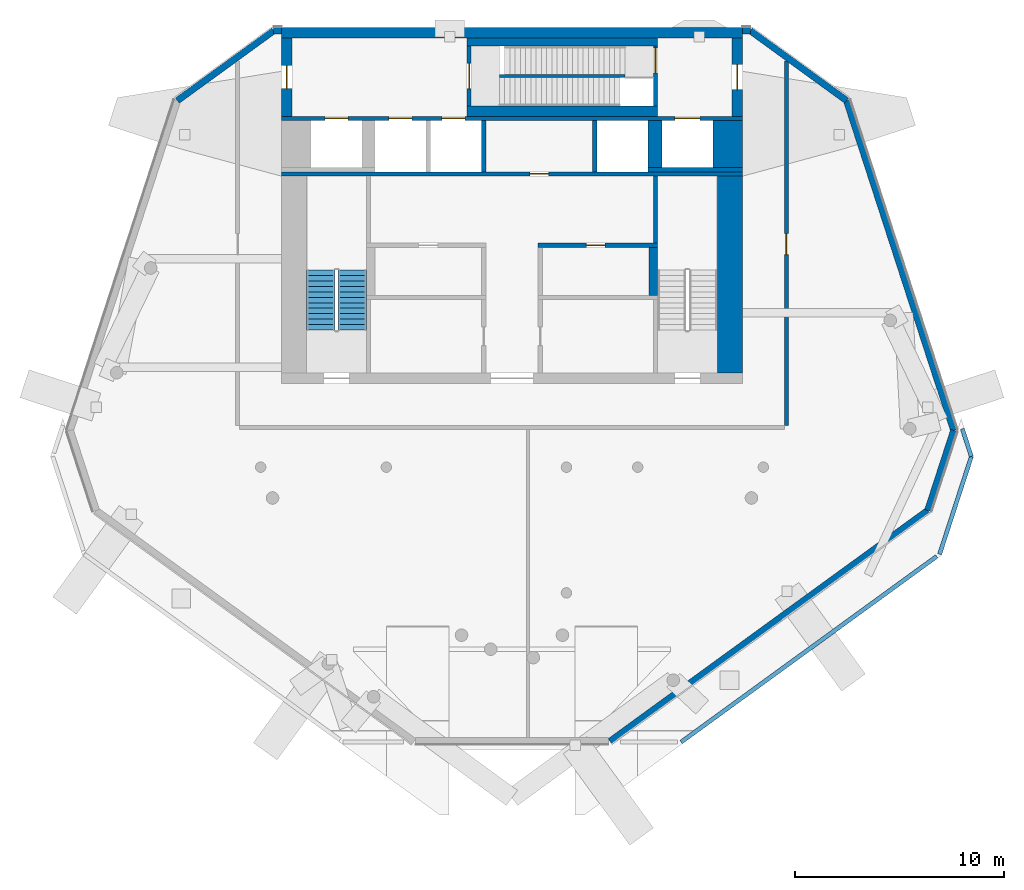
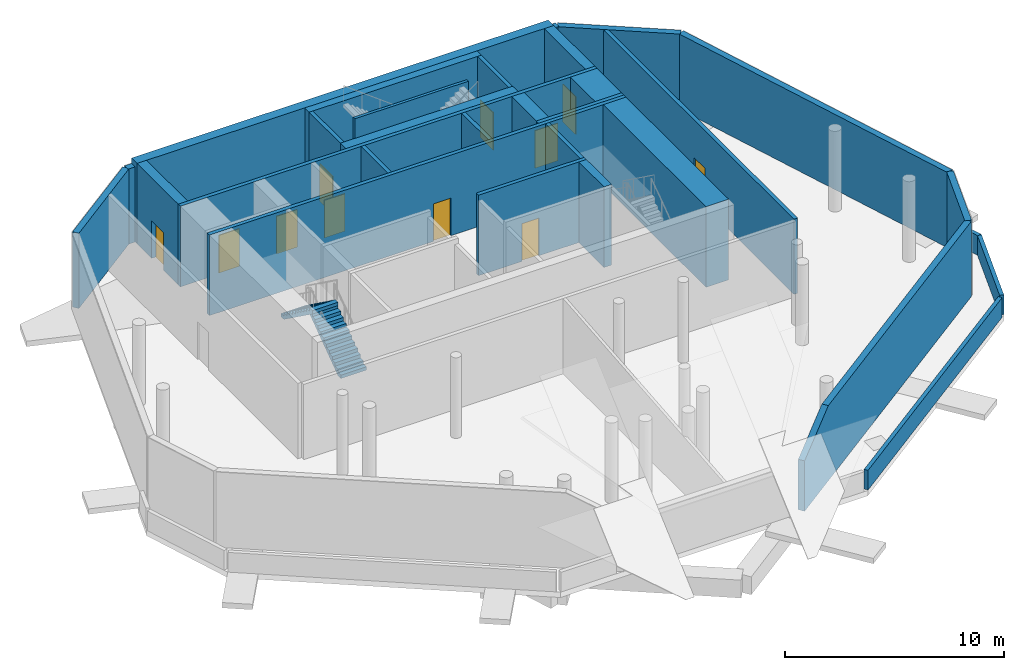
# One storey, part 3 of 8: 30 walls, 11 doors, 2 stair flights, 11 openings, 1 element without a shape of its own.
"""IFC4 building model written with IfcOpenShell, lengths in metres."""

from ifc_helpers import new_model, si_unit, direction, frame, frame_2d, origin, place, context, subcontext, project, spatial, polyline, rectangle, outline, extrude, material, layer, layer_set, type_object, element, fill, aggregate, save


model = new_model("IFC4")

# Units and contexts
model_context = context("Model", 3, precision=1e-05, world=origin(), true_north=direction((0.0, 1.0)))
body_context = subcontext(model_context, "Body", "Model", "MODEL_VIEW")
ifc_project = project(units=[si_unit("LENGTHUNIT", "METRE"), si_unit("AREAUNIT", "SQUARE_METRE"), si_unit("VOLUMEUNIT", "CUBIC_METRE"), si_unit("PLANEANGLEUNIT", "RADIAN"), si_unit("MASSUNIT", "GRAM", prefix="KILO")], contexts=[model_context])

# Site, building, storey
site_placement = place(None, origin())
site = spatial("IfcSite", under=ifc_project, at=site_placement, CompositionType="ELEMENT")
building_placement = place(site_placement, origin())
building = spatial("IfcBuilding", under=site, at=building_placement, Name="White Candle Pilgrim Tower", CompositionType="ELEMENT")
storey_placement = place(building_placement, frame((0.0, 0.0, 328.699951171875)))
storey = spatial("IfcBuildingStorey", under=building, at=storey_placement, Name="L77", CompositionType="ELEMENT", Elevation=328.699951171875)

# Walls
ifc_material_1 = material(Name="Concrete C40/50", Category="concrete")
ifc_layer_1 = layer(ifc_material_1, 1.39990234375)
ifc_layer_set_1 = layer_set([ifc_layer_1], Name="Core wall 1400 mm Concrete C40/50")
wall_type_1 = type_object("IfcWallType", Name="Core wall 1400 mm Concrete C40/50", PredefinedType="SHEAR", material=ifc_layer_set_1)
wall_1_placement = place(storey_placement, frame((80.300048828125, 81.300048828125, 0.0), z_axis=(0.0, 0.0, 1.0), x_axis=(0.0, 1.0, 0.0)))
element("IfcWall", 1, at=wall_1_placement, inside=storey, type_object=wall_type_1, Name="WL-L77-C27", PredefinedType="SHEAR", context=body_context, shape_type="SweptSolid", body=[
    extrude(rectangle(XDim=2.25, YDim=1.39990234375, at=frame_2d((1.125, 0.0))), origin(), (0.0, 0.0, 1.0), 4.5),
])
ifc_layer_2 = layer(ifc_material_1, 0.199951171875)
ifc_layer_set_2 = layer_set([ifc_layer_2], Name="Core wall 200 mm Concrete C40/50")
wall_type_2 = type_object("IfcWallType", Name="Core wall 200 mm Concrete C40/50", PredefinedType="SHEAR", material=ifc_layer_set_2)
wall_2_placement = place(storey_placement, frame((76.5, 81.199951171875, 0.0), z_axis=(0.0, 0.0, 1.0), x_axis=(1.0, 0.0, 0.0)))
element("IfcWall", 2, at=wall_2_placement, inside=storey, type_object=wall_type_2, Name="WL-L77-C23", PredefinedType="SHEAR", context=body_context, shape_type="SweptSolid", body=[
    extrude(rectangle(XDim=4.5, YDim=0.199951171875, at=frame_2d((2.25, 0.0))), origin(), (0.0, 0.0, 1.0), 4.5),
])

# Wall, openings, doors
wall_3_placement = place(storey_placement, frame((59.0, 83.64990234375, 0.0), z_axis=(0.0, 0.0, 1.0), x_axis=(1.0, 0.0, 0.0)))
wall_3 = element("IfcWall", 3, at=wall_3_placement, inside=storey, type_object=wall_type_2, Name="WL-L77-C28", PredefinedType="SHEAR", context=body_context, shape_type="SweptSolid", body=[
    extrude(rectangle(XDim=22.0, YDim=0.199951171875, at=frame_2d((11.0, 0.0))), origin(), (0.0, 0.0, 1.0), 4.5),
])
opening_1_placement = place(wall_3_placement, frame((5.125, 0.0, 0.0)))
opening_1 = element("IfcOpeningElement", 4, at=opening_1_placement, cuts=wall_3, Name="Opening L77-010", PredefinedType="OPENING", context=body_context, shape_type="SweptSolid", body=[
    extrude(rectangle(XDim=1.10009765625, YDim=2.10009765625, at=frame_2d((0.550048828125, 1.050048828125))), frame((0.0, 0.10986328125, 0.0), z_axis=(0.0, -1.0, 0.0), x_axis=(1.0, 0.0, 0.0)), (0.0, 0.0, 1.0), 0.219970703125),
])
opening_2_placement = place(wall_3_placement, frame((7.64990234375, 0.0, 0.0)))
opening_2 = element("IfcOpeningElement", 5, at=opening_2_placement, cuts=wall_3, Name="Opening L77-011", PredefinedType="OPENING", context=body_context, shape_type="SweptSolid", body=[
    extrude(rectangle(XDim=1.10009765625, YDim=2.10009765625, at=frame_2d((0.550048828125, 1.050048828125))), frame((0.0, 0.10986328125, 0.0), z_axis=(0.0, -1.0, 0.0), x_axis=(1.0, 0.0, 0.0)), (0.0, 0.0, 1.0), 0.219970703125),
])
opening_3_placement = place(wall_3_placement, frame((18.77490234375, 0.0, 0.0)))
opening_3 = element("IfcOpeningElement", 6, at=opening_3_placement, cuts=wall_3, Name="Opening L77-012", PredefinedType="OPENING", context=body_context, shape_type="SweptSolid", body=[
    extrude(rectangle(XDim=1.199951171875, YDim=2.10009765625, at=frame_2d((0.60009765625, 1.050048828125))), frame((0.0, 0.10986328125, 0.0), z_axis=(0.0, -1.0, 0.0), x_axis=(1.0, 0.0, 0.0)), (0.0, 0.0, 1.0), 0.219970703125),
])
opening_4_placement = place(wall_3_placement, frame((2.074951171875, 0.0, 0.0)))
opening_4 = element("IfcOpeningElement", 7, at=opening_4_placement, cuts=wall_3, Name="Opening L77-013", PredefinedType="OPENING", context=body_context, shape_type="SweptSolid", body=[
    extrude(rectangle(XDim=1.10009765625, YDim=2.10009765625, at=frame_2d((0.550048828125, 1.050048828125))), frame((0.0, 0.10986328125, 0.0), z_axis=(0.0, -1.0, 0.0), x_axis=(1.0, 0.0, 0.0)), (0.0, 0.0, 1.0), 0.219970703125),
])
ifc_material_2 = material(Name="Stainless steel", Category="steel")
door_type_1 = type_object("IfcDoorType", Name="Lift landing door 1100 x 2100 EI 60", OperationType="DOUBLE_DOOR_SLIDING", PredefinedType="DOOR", material=ifc_material_2)
door_1_placement = place(opening_1_placement, origin())
door_1 = element("IfcDoor", 8, at=door_1_placement, inside=storey, type_object=door_type_1, Name="Door L77-010", OperationType="DOUBLE_DOOR_SLIDING", OverallHeight=2.10009765625, OverallWidth=1.10009765625, PredefinedType="DOOR", context=body_context, shape_type="SweptSolid", body=[
    extrude(rectangle(XDim=1.10009765625, YDim=2.10009765625, at=frame_2d((0.550048828125, 1.050048828125))), frame((0.0, 0.02490234375, 0.0), z_axis=(0.0, -1.0, 0.0), x_axis=(1.0, 0.0, 0.0)), (0.0, 0.0, 1.0), 0.050048828125),
])
fill(opening_1, door_1)
door_2_placement = place(opening_2_placement, origin())
door_2 = element("IfcDoor", 9, at=door_2_placement, inside=storey, type_object=door_type_1, Name="Door L77-011", OperationType="DOUBLE_DOOR_SLIDING", OverallHeight=2.10009765625, OverallWidth=1.10009765625, PredefinedType="DOOR", context=body_context, shape_type="SweptSolid", body=[
    extrude(rectangle(XDim=1.10009765625, YDim=2.10009765625, at=frame_2d((0.550048828125, 1.050048828125))), frame((0.0, 0.02490234375, 0.0), z_axis=(0.0, -1.0, 0.0), x_axis=(1.0, 0.0, 0.0)), (0.0, 0.0, 1.0), 0.050048828125),
])
fill(opening_2, door_2)
door_3_placement = place(opening_4_placement, origin())
door_3 = element("IfcDoor", 10, at=door_3_placement, inside=storey, type_object=door_type_1, Name="Door L77-013", OperationType="DOUBLE_DOOR_SLIDING", OverallHeight=2.10009765625, OverallWidth=1.10009765625, PredefinedType="DOOR", context=body_context, shape_type="SweptSolid", body=[
    extrude(rectangle(XDim=1.10009765625, YDim=2.10009765625, at=frame_2d((0.550048828125, 1.050048828125))), frame((0.0, 0.02490234375, 0.0), z_axis=(0.0, -1.0, 0.0), x_axis=(1.0, 0.0, 0.0)), (0.0, 0.0, 1.0), 0.050048828125),
])
fill(opening_4, door_3)
door_type_2 = type_object("IfcDoorType", Name="Lift landing door 1200 x 2100 E 60", OperationType="DOUBLE_DOOR_SLIDING", PredefinedType="DOOR", material=ifc_material_2)
door_4_placement = place(opening_3_placement, origin())
door_4 = element("IfcDoor", 11, at=door_4_placement, inside=storey, type_object=door_type_2, Name="Door L77-012", OperationType="DOUBLE_DOOR_SLIDING", OverallHeight=2.10009765625, OverallWidth=1.199951171875, PredefinedType="DOOR", context=body_context, shape_type="SweptSolid", body=[
    extrude(rectangle(XDim=1.199951171875, YDim=2.10009765625, at=frame_2d((0.60009765625, 1.050048828125))), frame((0.0, 0.02490234375, 0.0), z_axis=(0.0, -1.0, 0.0), x_axis=(1.0, 0.0, 0.0)), (0.0, 0.0, 1.0), 0.050048828125),
])
fill(opening_3, door_4)

# Wall, opening, door
ifc_layer_3 = layer(ifc_material_1, 0.5)
ifc_layer_set_3 = layer_set([ifc_layer_3], Name="Core wall 500 mm Concrete C40/50")
wall_type_3 = type_object("IfcWallType", Name="Core wall 500 mm Concrete C40/50", PredefinedType="SHEAR", material=ifc_layer_set_3)
wall_4_placement = place(storey_placement, frame((59.25, 83.75, 0.0), z_axis=(0.0, 0.0, 1.0), x_axis=(0.0, 1.0, 0.0)))
wall_4 = element("IfcWall", 12, at=wall_4_placement, inside=storey, type_object=wall_type_3, Name="WL-L77-C29", PredefinedType="SHEAR", context=body_context, shape_type="SweptSolid", body=[
    extrude(rectangle(XDim=3.75, YDim=0.5, at=frame_2d((1.875, 0.0))), origin(), (0.0, 0.0, 1.0), 4.5),
])
opening_5_placement = place(wall_4_placement, frame((1.324951171875, 0.0, 0.0)))
opening_5 = element("IfcOpeningElement", 13, at=opening_5_placement, cuts=wall_4, Name="Opening L77-008", PredefinedType="OPENING", context=body_context, shape_type="SweptSolid", body=[
    extrude(rectangle(XDim=1.10009765625, YDim=2.10009765625, at=frame_2d((0.550048828125, 1.050048828125))), frame((0.0, 0.260009765625, 0.0), z_axis=(0.0, -1.0, 0.0), x_axis=(1.0, 0.0, 0.0)), (0.0, 0.0, 1.0), 0.52001953125),
])
ifc_material_3 = material(Name="Steel door leaf", Category="steel")
door_type_3 = type_object("IfcDoorType", Name="Fire door 1100 x 2100 EI 60", OperationType="NOTDEFINED", PredefinedType="DOOR", material=ifc_material_3)
door_5_placement = place(opening_5_placement, origin())
door_5 = element("IfcDoor", 14, at=door_5_placement, inside=storey, type_object=door_type_3, Name="Door L77-008", OperationType="SINGLE_SWING_RIGHT", OverallHeight=2.10009765625, OverallWidth=1.10009765625, PredefinedType="DOOR", context=body_context, shape_type="SweptSolid", body=[
    extrude(rectangle(XDim=1.10009765625, YDim=2.10009765625, at=frame_2d((0.550048828125, 1.050048828125))), frame((0.0, 0.02490234375, 0.0), z_axis=(0.0, -1.0, 0.0), x_axis=(1.0, 0.0, 0.0)), (0.0, 0.0, 1.0), 0.050048828125),
])
fill(opening_5, door_5)

wall_5_placement = place(storey_placement, frame((80.75, 83.75, 0.0), z_axis=(0.0, 0.0, 1.0), x_axis=(0.0, 1.0, 0.0)))
wall_5 = element("IfcWall", 15, at=wall_5_placement, inside=storey, type_object=wall_type_3, Name="WL-L77-C31", PredefinedType="SHEAR", context=body_context, shape_type="SweptSolid", body=[
    extrude(rectangle(XDim=3.75, YDim=0.5, at=frame_2d((1.875, 0.0))), origin(), (0.0, 0.0, 1.0), 4.5),
])
opening_6_placement = place(wall_5_placement, frame((1.27490234375, 0.0, 0.0)))
opening_6 = element("IfcOpeningElement", 16, at=opening_6_placement, cuts=wall_5, Name="Opening L77-009", PredefinedType="OPENING", context=body_context, shape_type="SweptSolid", body=[
    extrude(rectangle(XDim=1.199951171875, YDim=2.10009765625, at=frame_2d((0.60009765625, 1.050048828125))), frame((0.0, 0.260009765625, 0.0), z_axis=(0.0, -1.0, 0.0), x_axis=(1.0, 0.0, 0.0)), (0.0, 0.0, 1.0), 0.52001953125),
])
door_type_4 = type_object("IfcDoorType", Name="Fire door 1200 x 2100 EI 30", OperationType="NOTDEFINED", PredefinedType="DOOR", material=ifc_material_3)
door_6_placement = place(opening_6_placement, origin())
door_6 = element("IfcDoor", 17, at=door_6_placement, inside=storey, type_object=door_type_4, Name="Door L77-009", OperationType="SINGLE_SWING_LEFT", OverallHeight=2.10009765625, OverallWidth=1.199951171875, PredefinedType="DOOR", context=body_context, shape_type="SweptSolid", body=[
    extrude(rectangle(XDim=1.199951171875, YDim=2.10009765625, at=frame_2d((0.60009765625, 1.050048828125))), frame((0.0, 0.02490234375, 0.0), z_axis=(0.0, -1.0, 0.0), x_axis=(1.0, 0.0, 0.0)), (0.0, 0.0, 1.0), 0.050048828125),
])
fill(opening_6, door_6)

# Wall
wall_6_placement = place(storey_placement, frame((59.0, 87.75, 0.0), z_axis=(0.0, 0.0, 1.0), x_axis=(1.0, 0.0, 0.0)))
element("IfcWall", 18, at=wall_6_placement, inside=storey, type_object=wall_type_3, Name="WL-L77-C36", PredefinedType="SHEAR", context=body_context, shape_type="SweptSolid", body=[
    extrude(rectangle(XDim=22.0, YDim=0.5, at=frame_2d((11.0, 0.0))), origin(), (0.0, 0.0, 1.0), 4.5),
])

# Wall, opening, door
ifc_material_4 = material(Name="Gypsum board on steel studs", Category="steel")
ifc_layer_4 = layer(ifc_material_4, 0.199951171875)
ifc_layer_set_4 = layer_set([ifc_layer_4], Name="Corridor wall 200 mm EI 45")
wall_type_4 = type_object("IfcWallType", Name="Corridor wall 200 mm EI 45", PredefinedType="PARTITIONING", material=ifc_layer_set_4)
wall_7_placement = place(storey_placement, frame((83.10009765625, 86.396240234375, 0.0), z_axis=(0.0, 0.0, 1.0), x_axis=(0.0, -1.0, 0.0)))
wall_7 = element("IfcWall", 19, at=wall_7_placement, inside=storey, type_object=wall_type_4, Name="WL-L77-P001", PredefinedType="PARTITIONING", context=body_context, shape_type="SweptSolid", body=[
    extrude(rectangle(XDim=17.396240234375, YDim=0.199951171875, at=frame_2d((8.6982421875, 0.0))), origin(), (0.0, 0.0, 1.0), 4.199951171875),
])
opening_7_placement = place(wall_7_placement, frame((8.248046875, 0.0, 0.0)))
opening_7 = element("IfcOpeningElement", 20, at=opening_7_placement, cuts=wall_7, Name="Opening L77-102", PredefinedType="OPENING", context=body_context, shape_type="SweptSolid", body=[
    extrude(rectangle(XDim=1.0, YDim=2.10009765625, at=frame_2d((0.5, 1.050048828125))), frame((0.0, 0.10986328125, 0.0), z_axis=(0.0, -1.0, 0.0), x_axis=(1.0, 0.0, 0.0)), (0.0, 0.0, 1.0), 0.219970703125),
])
door_type_5 = type_object("IfcDoorType", Name="Fire door 1000 x 2100 EI 30", OperationType="NOTDEFINED", PredefinedType="DOOR", material=ifc_material_3)
door_7_placement = place(opening_7_placement, origin())
door_7 = element("IfcDoor", 21, at=door_7_placement, inside=storey, type_object=door_type_5, Name="Door L77-102", OperationType="SINGLE_SWING_RIGHT", OverallHeight=2.10009765625, OverallWidth=1.0, PredefinedType="DOOR", context=body_context, shape_type="SweptSolid", body=[
    extrude(rectangle(XDim=1.0, YDim=2.10009765625, at=frame_2d((0.5, 1.050048828125))), frame((0.0, 0.02490234375, 0.0), z_axis=(0.0, -1.0, 0.0), x_axis=(1.0, 0.0, 0.0)), (0.0, 0.0, 1.0), 0.050048828125),
])
fill(opening_7, door_7)

# Walls
ifc_material_5 = material(Name="Precast concrete C40/50", Category="concrete")
ifc_layer_5 = layer(ifc_material_5, 0.320068359375)
ifc_layer_set_5 = layer_set([ifc_layer_5], Name="Facade wall EW4 precast concrete C40/50 crown wall with zinc cladding")
wall_type_5 = type_object("IfcWallType", Name="Facade wall EW4 precast concrete C40/50 crown wall with zinc cladding", PredefinedType="SOLIDWALL", material=ifc_layer_set_5)
wall_8_placement = place(storey_placement, frame((74.682373046875, 53.9091796875, 0.0), z_axis=(0.0, 0.0, 1.0), x_axis=(0.80901917789, 0.58778224693, 0.0)))
element("IfcWall", 22, at=wall_8_placement, inside=storey, type_object=wall_type_5, Name="Crown wall L77 SE", PredefinedType="SOLIDWALL", context=body_context, shape_type="SweptSolid", body=[
    extrude(outline(polyline([(0.0, 0.0), (18.752197265625, 0.0), (18.752197265625, 4.199951171875), (2.661865234375, 4.199951171875), (0.0, 2.814697265625), (0.0, 0.0)])), frame((0.0, 0.16015625, 0.0), z_axis=(0.0, -1.0, 0.0), x_axis=(1.0, 0.0, 0.0)), (0.0, 0.0, 1.0), 0.320068359375),
])
wall_9_placement = place(storey_placement, frame((89.853271484375, 64.931396484375, 0.0), z_axis=(0.0, 0.0, 1.0), x_axis=(0.309021525282, 0.951055044102, 0.0)))
element("IfcWall", 23, at=wall_9_placement, inside=storey, type_object=wall_type_5, Name="Crown wall L77 E chamfer", PredefinedType="SOLIDWALL", context=body_context, shape_type="SweptSolid", body=[
    extrude(rectangle(XDim=4.019775390625, YDim=0.320068359375, at=frame_2d((2.009765625, 0.0))), origin(), (0.0, 0.0, 1.0), 4.199951171875),
])
wall_10_placement = place(storey_placement, frame((91.095458984375, 68.75439453125, 0.0), z_axis=(0.0, 0.0, 1.0), x_axis=(-0.309017727781, 0.951056277997, 0.0)))
element("IfcWall", 24, at=wall_10_placement, inside=storey, type_object=wall_type_5, Name="Crown wall L77 ENE", PredefinedType="SOLIDWALL", context=body_context, shape_type="SweptSolid", body=[
    extrude(rectangle(XDim=16.558837890625, YDim=0.320068359375, at=frame_2d((8.279296875, 0.0))), origin(), (0.0, 0.0, 1.0), 4.199951171875),
])
wall_11_placement = place(storey_placement, frame((85.978515625, 84.502685546875, 0.0), z_axis=(0.0, 0.0, 1.0), x_axis=(-0.809014901919, 0.5877881323, 0.0)))
element("IfcWall", 25, at=wall_11_placement, inside=storey, type_object=wall_type_5, Name="Crown wall L77 NE chamfer", PredefinedType="SOLIDWALL", context=body_context, shape_type="SweptSolid", body=[
    extrude(rectangle(XDim=5.677978515625, YDim=0.320068359375, at=frame_2d((2.8388671875, 0.0))), origin(), (0.0, 0.0, 1.0), 4.199951171875),
])
for number, where, z_axis, x_axis, name in (
    (26, (81.385009765625, 87.840087890625, 0.0), (0.0, 0.0, 1.0), (-1.0, 0.0, 0.0), "Crown wall L77 N"),
    (27, (59.0, 87.840087890625, 0.0), (0.0, 0.0, 1.0), (-1.0, 0.0, 0.0), "Crown wall L77 N"),
):
    element("IfcWall", number, at=place(storey_placement, frame(where, z_axis=z_axis, x_axis=x_axis)), inside=storey, type_object=wall_type_5, Name=name, PredefinedType="SOLIDWALL", context=body_context, shape_type="SweptSolid", body=[
        extrude(rectangle(XDim=0.385009765625, YDim=0.320068359375, at=frame_2d((0.1923828125, 0.0))), origin(), (0.0, 0.0, 1.0), 4.199951171875),
    ])
wall_12_placement = place(storey_placement, frame((58.614990234375, 87.840087890625, 0.0), z_axis=(0.0, 0.0, 1.0), x_axis=(-0.809014901919, -0.5877881323, 0.0)))
element("IfcWall", 28, at=wall_12_placement, inside=storey, type_object=wall_type_5, Name="Crown wall L77 NW chamfer", PredefinedType="SOLIDWALL", context=body_context, shape_type="SweptSolid", body=[
    extrude(rectangle(XDim=5.677978515625, YDim=0.320068359375, at=frame_2d((2.8388671875, 0.0))), origin(), (0.0, 0.0, 1.0), 4.199951171875),
])
ifc_layer_6 = layer(ifc_material_5, 0.199951171875)
ifc_layer_set_6 = layer_set([ifc_layer_6], Name="Roof parapet EW5 precast concrete C40/50 200")
wall_type_6 = type_object("IfcWallType", Name="Roof parapet EW5 precast concrete C40/50 200", PredefinedType="SOLIDWALL", material=ifc_layer_set_6)
wall_13_placement = place(storey_placement, frame((91.931396484375, 67.508544921875, 0.0), z_axis=(0.0, 0.0, 1.0), x_axis=(-0.309052312813, -0.951045039914, 0.0)))
element("IfcWall", 29, at=wall_13_placement, inside=storey, type_object=wall_type_6, Name="Roof parapet L77", PredefinedType="SOLIDWALL", context=body_context, shape_type="SweptSolid", body=[
    extrude(rectangle(XDim=4.90576171875, YDim=0.199951171875, at=frame_2d((2.452880859375, 0.0))), origin(), (0.0, 0.0, 1.0), 1.10009765625),
])
wall_14_placement = place(storey_placement, frame((90.27783203125, 62.742919921875, 0.0), z_axis=(0.0, 0.0, 1.0), x_axis=(-0.809021641343, -0.587778856237, 0.0)))
element("IfcWall", 30, at=wall_14_placement, inside=storey, type_object=wall_type_6, Name="Roof parapet L77", PredefinedType="SOLIDWALL", context=body_context, shape_type="SweptSolid", body=[
    extrude(rectangle(XDim=15.079345703125, YDim=0.199951171875, at=frame_2d((7.53955078125, 0.0))), origin(), (0.0, 0.0, 1.0), 1.10009765625),
])
wall_15_placement = place(storey_placement, frame((91.500244140625, 68.835205078125, 0.0), z_axis=(0.0, 0.0, 1.0), x_axis=(0.30907815753, -0.951036641007, 0.0)))
element("IfcWall", 31, at=wall_15_placement, inside=storey, type_object=wall_type_6, Name="Roof parapet L77", PredefinedType="SOLIDWALL", context=body_context, shape_type="SweptSolid", body=[
    extrude(rectangle(XDim=1.39501953125, YDim=0.199951171875, at=frame_2d((0.697509765625, 0.0))), origin(), (0.0, 0.0, 1.0), 1.10009765625),
])
ifc_layer_7 = layer(ifc_material_1, 0.199951171875)
ifc_layer_set_7 = layer_set([ifc_layer_7], Name="Shaft wall 200 mm Concrete C40/50")
wall_type_7 = type_object("IfcWallType", Name="Shaft wall 200 mm Concrete C40/50", PredefinedType="SHEAR", material=ifc_layer_set_7)
for number, where, z_axis, x_axis, name in (
    (32, (68.64990234375, 81.10009765625, 0.0), (0.0, 0.0, 1.0), (0.0, 1.0, 0.0), "WL-L77-C21"),
    (33, (73.949951171875, 81.10009765625, 0.0), (0.0, 0.0, 1.0), (0.0, 1.0, 0.0), "WL-L77-C22"),
):
    element("IfcWall", number, at=place(storey_placement, frame(where, z_axis=z_axis, x_axis=x_axis)), inside=storey, type_object=wall_type_7, Name=name, PredefinedType="SHEAR", context=body_context, shape_type="SweptSolid", body=[
        extrude(rectangle(XDim=2.449951171875, YDim=0.199951171875, at=frame_2d((1.22509765625, 0.0))), origin(), (0.0, 0.0, 1.0), 4.5),
    ])
ifc_layer_8 = layer(ifc_material_1, 0.64990234375)
ifc_layer_set_8 = layer_set([ifc_layer_8], Name="Shaft wall 650 mm Concrete C40/50")
wall_type_8 = type_object("IfcWallType", Name="Shaft wall 650 mm Concrete C40/50", PredefinedType="SHEAR", material=ifc_layer_set_8)
wall_16_placement = place(storey_placement, frame((76.824951171875, 81.300048828125, 0.0), z_axis=(0.0, 0.0, 1.0), x_axis=(0.0, 1.0, 0.0)))
element("IfcWall", 34, at=wall_16_placement, inside=storey, type_object=wall_type_8, Name="WL-L77-C26", PredefinedType="SHEAR", context=body_context, shape_type="SweptSolid", body=[
    extrude(rectangle(XDim=2.25, YDim=0.64990234375, at=frame_2d((1.125, 0.0))), origin(), (0.0, 0.0, 1.0), 4.5),
])
ifc_layer_9 = layer(ifc_material_1, 1.199951171875)
ifc_layer_set_9 = layer_set([ifc_layer_9], Name="Stair shaft wall 1200 mm Concrete C40/50")
wall_type_9 = type_object("IfcWallType", Name="Stair shaft wall 1200 mm Concrete C40/50", PredefinedType="SHEAR", material=ifc_layer_set_9)
wall_17_placement = place(storey_placement, frame((80.39990234375, 71.5, 0.0), z_axis=(0.0, 0.0, 1.0), x_axis=(0.0, 1.0, 0.0)))
element("IfcWall", 35, at=wall_17_placement, inside=storey, type_object=wall_type_9, Name="WL-L77-C07", PredefinedType="SHEAR", context=body_context, shape_type="SweptSolid", body=[
    extrude(rectangle(XDim=9.39990234375, YDim=1.199951171875, at=frame_2d((4.699951171875, 0.0))), origin(), (0.0, 0.0, 1.0), 4.5),
])
ifc_layer_10 = layer(ifc_material_1, 0.14990234375)
ifc_layer_set_10 = layer_set([ifc_layer_10], Name="Stair shaft wall 150 mm Concrete C40/50")
wall_type_10 = type_object("IfcWallType", Name="Stair shaft wall 150 mm Concrete C40/50", PredefinedType="SHEAR", material=ifc_layer_set_10)
wall_18_placement = place(storey_placement, frame((69.39990234375, 85.675048828125, 0.0), z_axis=(0.0, 0.0, 1.0), x_axis=(1.0, 0.0, 0.0)))
element("IfcWall", 36, at=wall_18_placement, inside=storey, type_object=wall_type_10, Name="WL-L77-C34", PredefinedType="SHEAR", context=body_context, shape_type="SweptSolid", body=[
    extrude(rectangle(XDim=6.0, YDim=0.14990234375, at=frame_2d((3.0, 0.0))), origin(), (0.0, 0.0, 1.0), 4.5),
])

# Wall, opening, door
ifc_layer_11 = layer(ifc_material_1, 0.199951171875)
ifc_layer_set_11 = layer_set([ifc_layer_11], Name="Stair shaft wall 200 mm Concrete C40/50")
wall_type_11 = type_object("IfcWallType", Name="Stair shaft wall 200 mm Concrete C40/50", PredefinedType="SHEAR", material=ifc_layer_set_11)
wall_19_placement = place(storey_placement, frame((71.25, 77.60009765625, 0.0), z_axis=(0.0, 0.0, 1.0), x_axis=(1.0, 0.0, 0.0)))
wall_19 = element("IfcWall", 37, at=wall_19_placement, inside=storey, type_object=wall_type_11, Name="WL-L77-C15", PredefinedType="SHEAR", context=body_context, shape_type="SweptSolid", body=[
    extrude(rectangle(XDim=5.699951171875, YDim=0.199951171875, at=frame_2d((2.85009765625, 0.0))), origin(), (0.0, 0.0, 1.0), 4.5),
])
opening_8_placement = place(wall_19_placement, frame((2.300048828125, 0.0, 0.0)))
opening_8 = element("IfcOpeningElement", 38, at=opening_8_placement, cuts=wall_19, Name="Opening L77-015", PredefinedType="OPENING", context=body_context, shape_type="SweptSolid", body=[
    extrude(rectangle(XDim=0.89990234375, YDim=2.10009765625, at=frame_2d((0.449951171875, 1.050048828125))), frame((0.0, 0.10986328125, 0.0), z_axis=(0.0, -1.0, 0.0), x_axis=(1.0, 0.0, 0.0)), (0.0, 0.0, 1.0), 0.219970703125),
])
door_type_6 = type_object("IfcDoorType", Name="Fire door 900 x 2100 EI 30", OperationType="NOTDEFINED", PredefinedType="DOOR", material=ifc_material_3)
door_8_placement = place(opening_8_placement, origin())
door_8 = element("IfcDoor", 39, at=door_8_placement, inside=storey, type_object=door_type_6, Name="Door L77-015", OperationType="SINGLE_SWING_LEFT", OverallHeight=2.10009765625, OverallWidth=0.89990234375, PredefinedType="DOOR", context=body_context, shape_type="SweptSolid", body=[
    extrude(rectangle(XDim=0.89990234375, YDim=2.10009765625, at=frame_2d((0.449951171875, 1.050048828125))), frame((0.0, 0.02490234375, 0.0), z_axis=(0.0, -1.0, 0.0), x_axis=(1.0, 0.0, 0.0)), (0.0, 0.0, 1.0), 0.050048828125),
])
fill(opening_8, door_8)

# Wall
wall_20_placement = place(storey_placement, frame((76.85009765625, 77.699951171875, 0.0), z_axis=(0.0, 0.0, 1.0), x_axis=(0.0, 1.0, 0.0)))
element("IfcWall", 40, at=wall_20_placement, inside=storey, type_object=wall_type_11, Name="WL-L77-C17", PredefinedType="SHEAR", context=body_context, shape_type="SweptSolid", body=[
    extrude(rectangle(XDim=3.199951171875, YDim=0.199951171875, at=frame_2d((1.60009765625, 0.0))), origin(), (0.0, 0.0, 1.0), 4.5),
])

# Wall, opening, door
wall_21_placement = place(storey_placement, frame((59.0, 81.0, 0.0), z_axis=(0.0, 0.0, 1.0), x_axis=(1.0, 0.0, 0.0)))
wall_21 = element("IfcWall", 41, at=wall_21_placement, inside=storey, type_object=wall_type_11, Name="WL-L77-C18", PredefinedType="SHEAR", context=body_context, shape_type="SweptSolid", body=[
    extrude(rectangle(XDim=22.0, YDim=0.199951171875, at=frame_2d((11.0, 0.0))), origin(), (0.0, 0.0, 1.0), 4.5),
])
opening_9_placement = place(wall_21_placement, frame((11.85009765625, 0.0, 0.0)))
opening_9 = element("IfcOpeningElement", 42, at=opening_9_placement, cuts=wall_21, Name="Opening L77-016", PredefinedType="OPENING", context=body_context, shape_type="SweptSolid", body=[
    extrude(rectangle(XDim=0.89990234375, YDim=2.10009765625, at=frame_2d((0.449951171875, 1.050048828125))), frame((0.0, 0.10986328125, 0.0), z_axis=(0.0, -1.0, 0.0), x_axis=(1.0, 0.0, 0.0)), (0.0, 0.0, 1.0), 0.219970703125),
])
door_9_placement = place(opening_9_placement, origin())
door_9 = element("IfcDoor", 43, at=door_9_placement, inside=storey, type_object=door_type_6, Name="Door L77-016", OperationType="SINGLE_SWING_RIGHT", OverallHeight=2.10009765625, OverallWidth=0.89990234375, PredefinedType="DOOR", context=body_context, shape_type="SweptSolid", body=[
    extrude(rectangle(XDim=0.89990234375, YDim=2.10009765625, at=frame_2d((0.449951171875, 1.050048828125))), frame((0.0, 0.02490234375, 0.0), z_axis=(0.0, -1.0, 0.0), x_axis=(1.0, 0.0, 0.0)), (0.0, 0.0, 1.0), 0.050048828125),
])
fill(opening_9, door_9)

wall_22_placement = place(storey_placement, frame((67.949951171875, 84.25, 0.0), z_axis=(0.0, 0.0, 1.0), x_axis=(0.0, 1.0, 0.0)))
wall_22 = element("IfcWall", 44, at=wall_22_placement, inside=storey, type_object=wall_type_11, Name="WL-L77-C32", PredefinedType="SHEAR", context=body_context, shape_type="SweptSolid", body=[
    extrude(rectangle(XDim=2.85009765625, YDim=0.199951171875, at=frame_2d((1.425048828125, 0.0))), origin(), (0.0, 0.0, 1.0), 4.5),
])
opening_10_placement = place(wall_22_placement, frame((0.824951171875, 0.0, 0.0)))
opening_10 = element("IfcOpeningElement", 45, at=opening_10_placement, cuts=wall_22, Name="Opening L77-003", PredefinedType="OPENING", context=body_context, shape_type="SweptSolid", body=[
    extrude(rectangle(XDim=1.199951171875, YDim=2.10009765625, at=frame_2d((0.60009765625, 1.050048828125))), frame((0.0, 0.10986328125, 0.0), z_axis=(0.0, -1.0, 0.0), x_axis=(1.0, 0.0, 0.0)), (0.0, 0.0, 1.0), 0.219970703125),
])
door_type_7 = type_object("IfcDoorType", Name="Fire door 1200 x 2100 EI 60", OperationType="NOTDEFINED", PredefinedType="DOOR", material=ifc_material_3)
door_10_placement = place(opening_10_placement, frame((1.199951171875, 0.0, 0.0), z_axis=(0.0, 0.0, 1.0), x_axis=(-1.0, 0.0, 0.0)))
door_10 = element("IfcDoor", 46, at=door_10_placement, inside=storey, type_object=door_type_7, Name="Door L77-003", OperationType="SINGLE_SWING_RIGHT", OverallHeight=2.10009765625, OverallWidth=1.199951171875, PredefinedType="DOOR", context=body_context, shape_type="SweptSolid", body=[
    extrude(rectangle(XDim=1.199951171875, YDim=2.10009765625, at=frame_2d((0.60009765625, 1.050048828125))), frame((0.0, 0.02490234375, 0.0), z_axis=(0.0, -1.0, 0.0), x_axis=(1.0, 0.0, 0.0)), (0.0, 0.0, 1.0), 0.050048828125),
])
fill(opening_10, door_10)

wall_23_placement = place(storey_placement, frame((76.85009765625, 84.25, 0.0), z_axis=(0.0, 0.0, 1.0), x_axis=(0.0, 1.0, 0.0)))
wall_23 = element("IfcWall", 47, at=wall_23_placement, inside=storey, type_object=wall_type_11, Name="WL-L77-C33", PredefinedType="SHEAR", context=body_context, shape_type="SweptSolid", body=[
    extrude(rectangle(XDim=2.85009765625, YDim=0.199951171875, at=frame_2d((1.425048828125, 0.0))), origin(), (0.0, 0.0, 1.0), 4.5),
])
opening_11_placement = place(wall_23_placement, frame((1.574951171875, 0.0, 0.0)))
opening_11 = element("IfcOpeningElement", 48, at=opening_11_placement, cuts=wall_23, Name="Opening L77-004", PredefinedType="OPENING", context=body_context, shape_type="SweptSolid", body=[
    extrude(rectangle(XDim=1.199951171875, YDim=2.10009765625, at=frame_2d((0.60009765625, 1.050048828125))), frame((0.0, 0.10986328125, 0.0), z_axis=(0.0, -1.0, 0.0), x_axis=(1.0, 0.0, 0.0)), (0.0, 0.0, 1.0), 0.219970703125),
])
door_11_placement = place(opening_11_placement, origin())
door_11 = element("IfcDoor", 49, at=door_11_placement, inside=storey, type_object=door_type_7, Name="Door L77-004", OperationType="SINGLE_SWING_RIGHT", OverallHeight=2.10009765625, OverallWidth=1.199951171875, PredefinedType="DOOR", context=body_context, shape_type="SweptSolid", body=[
    extrude(rectangle(XDim=1.199951171875, YDim=2.10009765625, at=frame_2d((0.60009765625, 1.050048828125))), frame((0.0, 0.02490234375, 0.0), z_axis=(0.0, -1.0, 0.0), x_axis=(1.0, 0.0, 0.0)), (0.0, 0.0, 1.0), 0.050048828125),
])
fill(opening_11, door_11)

# Walls
ifc_layer_12 = layer(ifc_material_1, 0.39990234375)
ifc_layer_set_12 = layer_set([ifc_layer_12], Name="Stair shaft wall 400 mm Concrete C40/50")
wall_type_12 = type_object("IfcWallType", Name="Stair shaft wall 400 mm Concrete C40/50", PredefinedType="SHEAR", material=ifc_layer_set_12)
wall_24_placement = place(storey_placement, frame((76.75, 75.199951171875, 0.0), z_axis=(0.0, 0.0, 1.0), x_axis=(0.0, 1.0, 0.0)))
element("IfcWall", 50, at=wall_24_placement, inside=storey, type_object=wall_type_12, Name="WL-L77-C13", PredefinedType="SHEAR", context=body_context, shape_type="SweptSolid", body=[
    extrude(rectangle(XDim=2.300048828125, YDim=0.39990234375, at=frame_2d((1.14990234375, 0.0))), origin(), (0.0, 0.0, 1.0), 4.5),
])
wall_25_placement = place(storey_placement, frame((67.85009765625, 87.300048828125, 0.0), z_axis=(0.0, 0.0, 1.0), x_axis=(1.0, 0.0, 0.0)))
element("IfcWall", 51, at=wall_25_placement, inside=storey, type_object=wall_type_12, Name="WL-L77-C35", PredefinedType="SHEAR", context=body_context, shape_type="SweptSolid", body=[
    extrude(rectangle(XDim=9.099853515625, YDim=0.39990234375, at=frame_2d((4.5498046875, 0.0))), origin(), (0.0, 0.0, 1.0), 4.5),
])
ifc_layer_13 = layer(ifc_material_1, 0.5)
ifc_layer_set_13 = layer_set([ifc_layer_13], Name="Stair shaft wall 500 mm Concrete C40/50")
wall_type_13 = type_object("IfcWallType", Name="Stair shaft wall 500 mm Concrete C40/50", PredefinedType="SHEAR", material=ifc_layer_set_13)
wall_26_placement = place(storey_placement, frame((67.85009765625, 84.0, 0.0), z_axis=(0.0, 0.0, 1.0), x_axis=(1.0, 0.0, 0.0)))
element("IfcWall", 52, at=wall_26_placement, inside=storey, type_object=wall_type_13, Name="WL-L77-C30", PredefinedType="SHEAR", context=body_context, shape_type="SweptSolid", body=[
    extrude(rectangle(XDim=9.099853515625, YDim=0.5, at=frame_2d((4.5498046875, 0.0))), origin(), (0.0, 0.0, 1.0), 4.5),
])

# Stair, stair flights
stair_type = type_object("IfcStairType", Name="Exit stair 1 flight width 1350 mm", PredefinedType="HALF_TURN_STAIR", material=ifc_material_1)
stair_placement = place(storey_placement, origin())
stair = element("IfcStair", 53, at=stair_placement, inside=storey, type_object=stair_type, Name="L77 stair 1", PredefinedType="NOTDEFINED")
ifc_layer_14 = layer(ifc_material_1, 0.14990234375)
ifc_layer_set_14 = layer_set([ifc_layer_14], Name="Stair flight Concrete C40/50")
stair_flight_type = type_object("IfcStairFlightType", Name="Stair flight Concrete C40/50", PredefinedType="STRAIGHT", material=ifc_layer_set_14)
stair_flight_1_placement = place(storey_placement, frame((62.375, 73.550048828125, 0.0), z_axis=(0.0, 0.0, 1.0), x_axis=(0.0, 1.0, 0.0)))
stair_flight_1 = element("IfcStairFlight", 54, at=stair_flight_1_placement, type_object=stair_flight_type, Name="ST1 flight 1", NumberOfRisers=12, NumberOfTreads=11, PredefinedType="NOTDEFINED", RiserHeight=0.1875, TreadLength=0.26, context=body_context, shape_type="SweptSolid", body=[
    extrude(outline(polyline([(0.0, 0.0), (0.0, 0.1875), (0.260009765625, 0.1875), (0.260009765625, 0.375), (0.52001953125, 0.375), (0.52001953125, 0.5625), (0.780029296875, 0.5625), (0.780029296875, 0.75), (1.0400390625, 0.75), (1.0400390625, 0.9375), (1.300048828125, 0.9375), (1.300048828125, 1.125), (1.56005859375, 1.125), (1.56005859375, 1.3125), (1.820068359375, 1.3125), (1.820068359375, 1.5), (2.080078125, 1.5), (2.080078125, 1.6875), (2.340087890625, 1.6875), (2.340087890625, 1.875), (2.60009765625, 1.875), (2.60009765625, 2.0625), (2.860107421875, 2.0625), (2.860107421875, 2.25), (2.860107421875, 1.877685546875), (0.25634765625, 0.0), (0.0, 0.0)])), frame((0.0, 0.675048828125, 0.0), z_axis=(0.0, -1.0, 0.0), x_axis=(1.0, 0.0, 0.0)), (0.0, 0.0, 1.0), 1.35009765625),
])
stair_flight_2_placement = place(storey_placement, frame((60.875, 76.409912109375, 2.25), z_axis=(0.0, 0.0, 1.0), x_axis=(0.0, -1.0, 0.0)))
stair_flight_2 = element("IfcStairFlight", 55, at=stair_flight_2_placement, type_object=stair_flight_type, Name="ST1 flight 2", NumberOfRisers=12, NumberOfTreads=11, PredefinedType="NOTDEFINED", RiserHeight=0.1875, TreadLength=0.26, context=body_context, shape_type="SweptSolid", body=[
    extrude(outline(polyline([(0.0, 0.0), (0.0, 0.1875), (0.260009765625, 0.1875), (0.260009765625, 0.375), (0.52001953125, 0.375), (0.52001953125, 0.5625), (0.780029296875, 0.5625), (0.780029296875, 0.75), (1.0400390625, 0.75), (1.0400390625, 0.9375), (1.300048828125, 0.9375), (1.300048828125, 1.125), (1.56005859375, 1.125), (1.56005859375, 1.3125), (1.820068359375, 1.3125), (1.820068359375, 1.5), (2.080078125, 1.5), (2.080078125, 1.6875), (2.340087890625, 1.6875), (2.340087890625, 1.875), (2.60009765625, 1.875), (2.60009765625, 2.0625), (2.860107421875, 2.0625), (2.860107421875, 2.25), (2.860107421875, 1.877685546875), (0.25634765625, 0.0), (0.0, 0.0)])), frame((0.0, 0.675048828125, 0.0), z_axis=(0.0, -1.0, 0.0), x_axis=(1.0, 0.0, 0.0)), (0.0, 0.0, 1.0), 1.35009765625),
])
aggregate(stair, [stair_flight_1, stair_flight_2])

save(model, "model.ifc")
